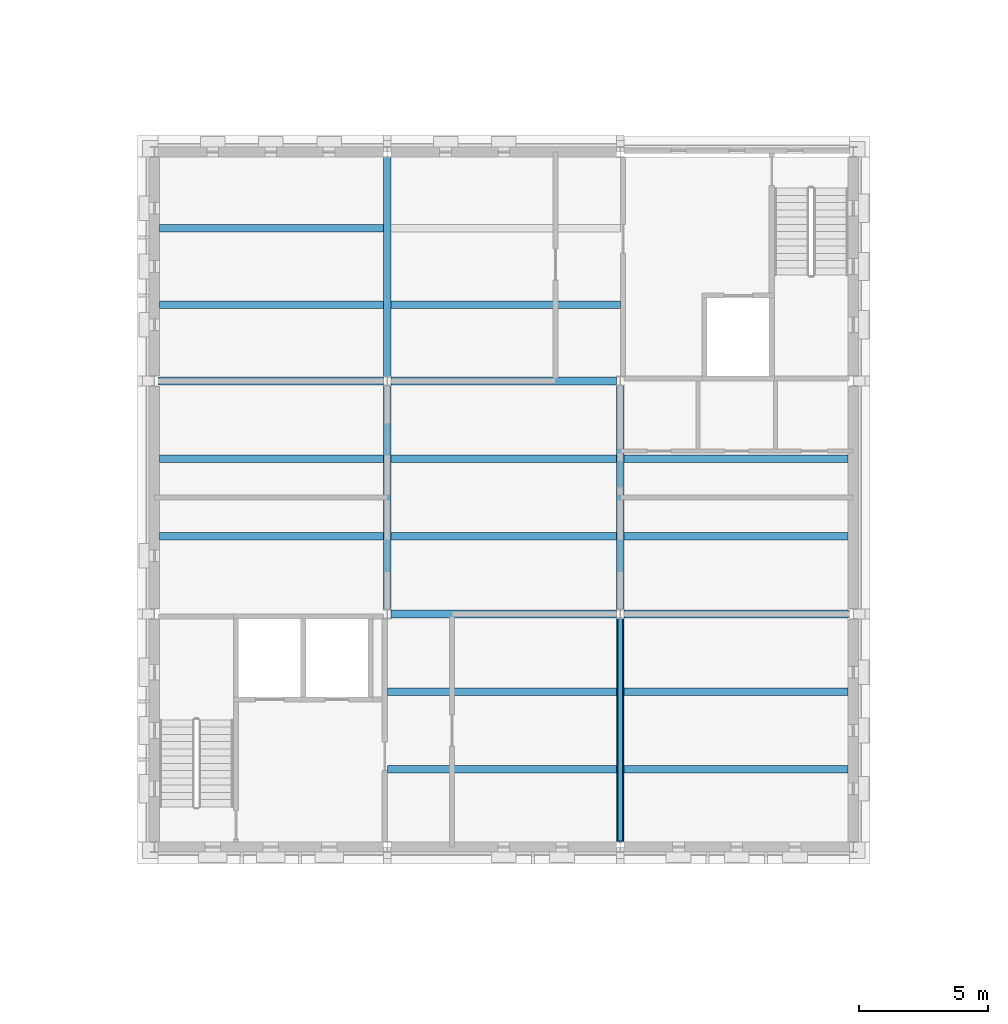
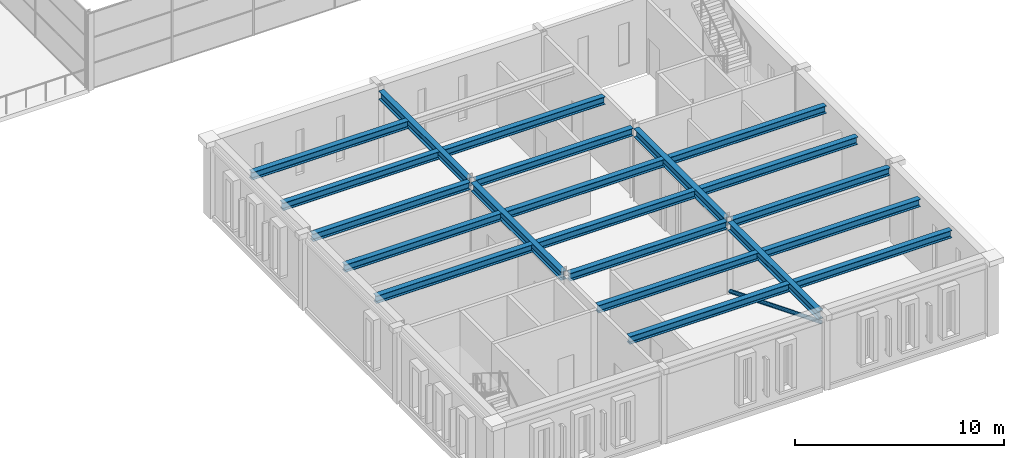
# One storey, part 10 of 70: 21 beams, 1 member.
"""IFC4 building model written with IfcOpenShell, lengths in metres."""

from ifc_helpers import new_model, si_unit, direction, frame, origin, origin_2d, place, context, subcontext, project, spatial, hollow_circle, i_section, extrude, material, material_profile, profile_set, type_object, element, save


model = new_model("IFC4")

# Units and contexts
model_context = context("Model", 3, precision=1e-05, world=origin(), true_north=direction((0.0, 1.0)))
body_context = subcontext(model_context, "Body", "Model", "MODEL_VIEW")
ifc_project = project(units=[si_unit("LENGTHUNIT", "METRE"), si_unit("AREAUNIT", "SQUARE_METRE"), si_unit("VOLUMEUNIT", "CUBIC_METRE"), si_unit("PLANEANGLEUNIT", "RADIAN"), si_unit("MASSUNIT", "GRAM", prefix="KILO")], contexts=[model_context])

# Site, building, storey
site_placement = place(None, origin())
site = spatial("IfcSite", under=ifc_project, at=site_placement, CompositionType="ELEMENT")
building_placement = place(site_placement, origin())
building = spatial("IfcBuilding", under=site, at=building_placement, Name="Kallimachos Central Library", CompositionType="ELEMENT")
storey_placement = place(building_placement, frame((0.0, 0.0, 18.89990234375)))
storey = spatial("IfcBuildingStorey", under=building, at=storey_placement, Name="L04", CompositionType="ELEMENT", Elevation=18.89990234375)

# Member
ifc_material_1 = material(Name="Steel S355J2H", Category="steel")
ifc_material_profile_1 = material_profile(ifc_material_1, hollow_circle(Radius=0.109619140625, WallThickness=0.012451171875, at=origin_2d()), Name="CHS 219.1x12.5")
ifc_profile_set_1 = profile_set([ifc_material_profile_1], Name="Steel S355J2H")
member_type = type_object("IfcMemberType", Name="CHS 219.1x12.5 brace", PredefinedType="BRACE", material=ifc_profile_set_1)
member_placement = place(storey_placement, frame((92.5, 26.820068359375, 0.150146484375), z_axis=(0.0, -0.928405950932, 0.371567477417), x_axis=(1.0, 0.0, 0.0)))
element("IfcMember", 1, at=member_placement, inside=storey, type_object=member_type, Name="V5-MEM-L04-001", PredefinedType="BRACE", context=body_context, shape_type="SweptSolid", body=[
    extrude(hollow_circle(Radius=0.109619140625, WallThickness=0.012451171875, at=origin_2d()), origin(), (0.0, 0.0, 1.0), 9.284912109375),
])

# Beams
ifc_material_2 = material(Name="Steel S355J2", Category="steel")
ifc_material_profile_2 = material_profile(ifc_material_2, i_section(OverallWidth=0.300048828125, OverallDepth=0.43994140625, WebThickness=0.011474609375, FlangeThickness=0.02099609375, FilletRadius=0.027099609375, at=origin_2d()), Name="HEA 450")
ifc_profile_set_2 = profile_set([ifc_material_profile_2], Name="Steel S355J2")
beam_type_1 = type_object("IfcBeamType", Name="HEA 450 beam", PredefinedType="BEAM", material=ifc_profile_set_2)
for number, where, z_axis, x_axis, name in (
    (2, (83.64990234375, 27.0, 4.030029296875), (1.0, 0.0, 0.0), (0.0, 1.0, 0.0), "V5-BEM-L04-001"),
    (3, (92.64990234375, 27.0, 4.030029296875), (1.0, 0.0, 0.0), (0.0, 1.0, 0.0), "V5-BEM-L04-002"),
    (4, (74.64990234375, 36.0, 4.030029296875), (1.0, 0.0, 0.0), (0.0, 1.0, 0.0), "V5-BEM-L04-003"),
    (5, (83.64990234375, 36.0, 4.030029296875), (1.0, 0.0, 0.0), (0.0, 1.0, 0.0), "V5-BEM-L04-004"),
):
    element("IfcBeam", number, at=place(storey_placement, frame(where, z_axis=z_axis, x_axis=x_axis)), inside=storey, type_object=beam_type_1, Name=name, PredefinedType="BEAM", context=body_context, shape_type="SweptSolid", body=[
        extrude(i_section(OverallWidth=0.300048828125, OverallDepth=0.43994140625, WebThickness=0.011474609375, FlangeThickness=0.02099609375, FilletRadius=0.027099609375, at=origin_2d()), origin(), (0.0, 0.0, 1.0), 8.7001953125),
    ])
for number, where, z_axis, x_axis, name in (
    (6, (74.699951171875, 30.0, 4.030029296875), (1.0, 0.0, 0.0), (0.0, 1.0, 0.0), "V5-BEM-L04-009"),
    (7, (74.699951171875, 33.0, 4.030029296875), (1.0, 0.0, 0.0), (0.0, 1.0, 0.0), "V5-BEM-L04-010"),
    (8, (74.699951171875, 38.949951171875, 4.030029296875), (1.0, 0.0, 0.0), (0.0, 1.0, 0.0), "V5-BEM-L04-011"),
    (9, (74.699951171875, 41.89990234375, 4.030029296875), (1.0, 0.0, 0.0), (0.0, 1.0, 0.0), "V5-BEM-L04-012"),
):
    element("IfcBeam", number, at=place(storey_placement, frame(where, z_axis=z_axis, x_axis=x_axis)), inside=storey, type_object=beam_type_1, Name=name, PredefinedType="BEAM", context=body_context, shape_type="SweptSolid", body=[
        extrude(i_section(OverallWidth=0.300048828125, OverallDepth=0.43994140625, WebThickness=0.011474609375, FlangeThickness=0.02099609375, FilletRadius=0.027099609375, at=origin_2d()), origin(), (0.0, 0.0, 1.0), 8.650146484375),
    ])
for number, where, z_axis, x_axis, name in (
    (10, (83.5, 21.0, 4.030029296875), (1.0, 0.0, 0.0), (0.0, 1.0, 0.0), "V5-BEM-L04-013"),
    (11, (83.5, 24.0, 4.030029296875), (1.0, 0.0, 0.0), (0.0, 1.0, 0.0), "V5-BEM-L04-014"),
):
    element("IfcBeam", number, at=place(storey_placement, frame(where, z_axis=z_axis, x_axis=x_axis)), inside=storey, type_object=beam_type_1, Name=name, PredefinedType="BEAM", context=body_context, shape_type="SweptSolid", body=[
        extrude(i_section(OverallWidth=0.300048828125, OverallDepth=0.43994140625, WebThickness=0.011474609375, FlangeThickness=0.02099609375, FilletRadius=0.027099609375, at=origin_2d()), origin(), (0.0, 0.0, 1.0), 8.85009765625),
    ])
for number, where, z_axis, x_axis, name in (
    (12, (83.64990234375, 30.0, 4.030029296875), (1.0, 0.0, 0.0), (0.0, 1.0, 0.0), "V5-BEM-L04-015"),
    (13, (83.64990234375, 33.0, 4.030029296875), (1.0, 0.0, 0.0), (0.0, 1.0, 0.0), "V5-BEM-L04-016"),
):
    element("IfcBeam", number, at=place(storey_placement, frame(where, z_axis=z_axis, x_axis=x_axis)), inside=storey, type_object=beam_type_1, Name=name, PredefinedType="BEAM", context=body_context, shape_type="SweptSolid", body=[
        extrude(i_section(OverallWidth=0.300048828125, OverallDepth=0.43994140625, WebThickness=0.011474609375, FlangeThickness=0.02099609375, FilletRadius=0.027099609375, at=origin_2d()), origin(), (0.0, 0.0, 1.0), 8.7001953125),
    ])
beam_1_placement = place(storey_placement, frame((83.64990234375, 38.949951171875, 4.030029296875), z_axis=(1.0, 0.0, 0.0), x_axis=(0.0, 1.0, 0.0)))
element("IfcBeam", 14, at=beam_1_placement, inside=storey, type_object=beam_type_1, Name="V5-BEM-L04-017", PredefinedType="BEAM", context=body_context, shape_type="SweptSolid", body=[
    extrude(i_section(OverallWidth=0.300048828125, OverallDepth=0.43994140625, WebThickness=0.011474609375, FlangeThickness=0.02099609375, FilletRadius=0.027099609375, at=origin_2d()), origin(), (0.0, 0.0, 1.0), 8.85009765625),
])
for number, where, z_axis, x_axis, name in (
    (15, (92.64990234375, 21.0, 4.030029296875), (1.0, 0.0, 0.0), (0.0, 1.0, 0.0), "V5-BEM-L04-019"),
    (16, (92.64990234375, 24.0, 4.030029296875), (1.0, 0.0, 0.0), (0.0, 1.0, 0.0), "V5-BEM-L04-020"),
    (17, (92.64990234375, 30.0, 4.030029296875), (1.0, 0.0, 0.0), (0.0, 1.0, 0.0), "V5-BEM-L04-021"),
    (18, (92.64990234375, 33.0, 4.030029296875), (1.0, 0.0, 0.0), (0.0, 1.0, 0.0), "V5-BEM-L04-022"),
):
    element("IfcBeam", number, at=place(storey_placement, frame(where, z_axis=z_axis, x_axis=x_axis)), inside=storey, type_object=beam_type_1, Name=name, PredefinedType="BEAM", context=body_context, shape_type="SweptSolid", body=[
        extrude(i_section(OverallWidth=0.300048828125, OverallDepth=0.43994140625, WebThickness=0.011474609375, FlangeThickness=0.02099609375, FilletRadius=0.027099609375, at=origin_2d()), origin(), (0.0, 0.0, 1.0), 8.650146484375),
    ])
ifc_material_3 = material(Name="Steel S355J2", Category="steel")
ifc_material_profile_3 = material_profile(ifc_material_3, i_section(OverallWidth=0.300048828125, OverallDepth=0.5, WebThickness=0.014404296875, FlangeThickness=0.028076171875, FilletRadius=0.027099609375, at=origin_2d()), Name="HEB 500")
ifc_profile_set_3 = profile_set([ifc_material_profile_3], Name="Steel S355J2")
beam_type_2 = type_object("IfcBeamType", Name="HEB 500 beam", PredefinedType="BEAM", material=ifc_profile_set_3)
beam_2_placement = place(storey_placement, frame((83.5, 27.179931640625, 4.0), z_axis=(0.0, 1.0, 0.0), x_axis=(-1.0, 0.0, 0.0)))
element("IfcBeam", 19, at=beam_2_placement, inside=storey, type_object=beam_type_2, Name="V5-BEM-L04-005", PredefinedType="BEAM", context=body_context, shape_type="SweptSolid", body=[
    extrude(i_section(OverallWidth=0.300048828125, OverallDepth=0.5, WebThickness=0.014404296875, FlangeThickness=0.028076171875, FilletRadius=0.027099609375, at=origin_2d()), origin(), (0.0, 0.0, 1.0), 8.64013671875),
])
beam_3_placement = place(storey_placement, frame((83.5, 36.179931640625, 4.0), z_axis=(0.0, 1.0, 0.0), x_axis=(-1.0, 0.0, 0.0)))
element("IfcBeam", 20, at=beam_3_placement, inside=storey, type_object=beam_type_2, Name="V5-BEM-L04-006", PredefinedType="BEAM", context=body_context, shape_type="SweptSolid", body=[
    extrude(i_section(OverallWidth=0.300048828125, OverallDepth=0.5, WebThickness=0.014404296875, FlangeThickness=0.028076171875, FilletRadius=0.027099609375, at=origin_2d()), origin(), (0.0, 0.0, 1.0), 8.469970703125),
])
beam_4_placement = place(storey_placement, frame((92.5, 18.199951171875, 4.0), z_axis=(0.0, 1.0, 0.0), x_axis=(-1.0, 0.0, 0.0)))
element("IfcBeam", 21, at=beam_4_placement, inside=storey, type_object=beam_type_2, Name="V5-BEM-L04-007", PredefinedType="BEAM", context=body_context, shape_type="SweptSolid", body=[
    extrude(i_section(OverallWidth=0.300048828125, OverallDepth=0.5, WebThickness=0.014404296875, FlangeThickness=0.028076171875, FilletRadius=0.027099609375, at=origin_2d()), origin(), (0.0, 0.0, 1.0), 8.6201171875),
])
beam_5_placement = place(storey_placement, frame((92.5, 27.179931640625, 4.0), z_axis=(0.0, 1.0, 0.0), x_axis=(-1.0, 0.0, 0.0)))
element("IfcBeam", 22, at=beam_5_placement, inside=storey, type_object=beam_type_2, Name="V5-BEM-L04-008", PredefinedType="BEAM", context=body_context, shape_type="SweptSolid", body=[
    extrude(i_section(OverallWidth=0.300048828125, OverallDepth=0.5, WebThickness=0.014404296875, FlangeThickness=0.028076171875, FilletRadius=0.027099609375, at=origin_2d()), origin(), (0.0, 0.0, 1.0), 8.64013671875),
])

save(model, "model.ifc")
